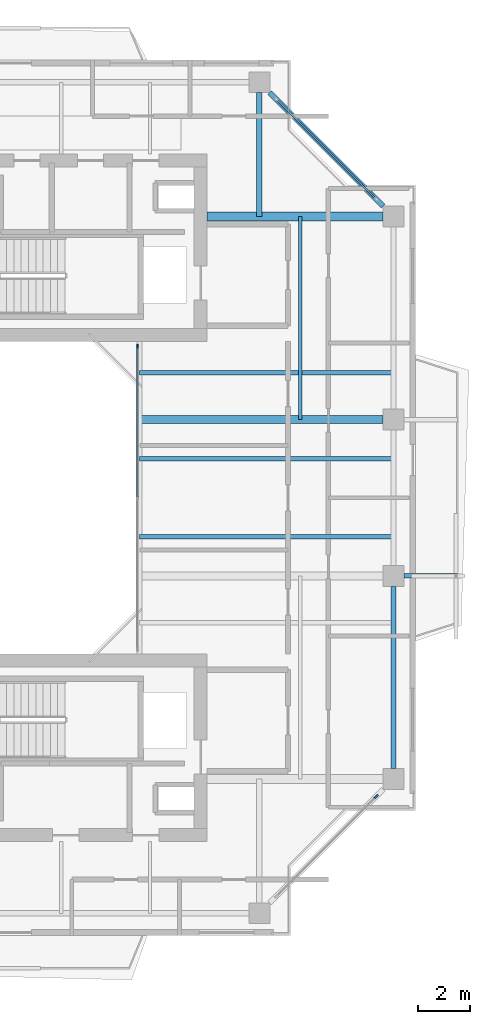
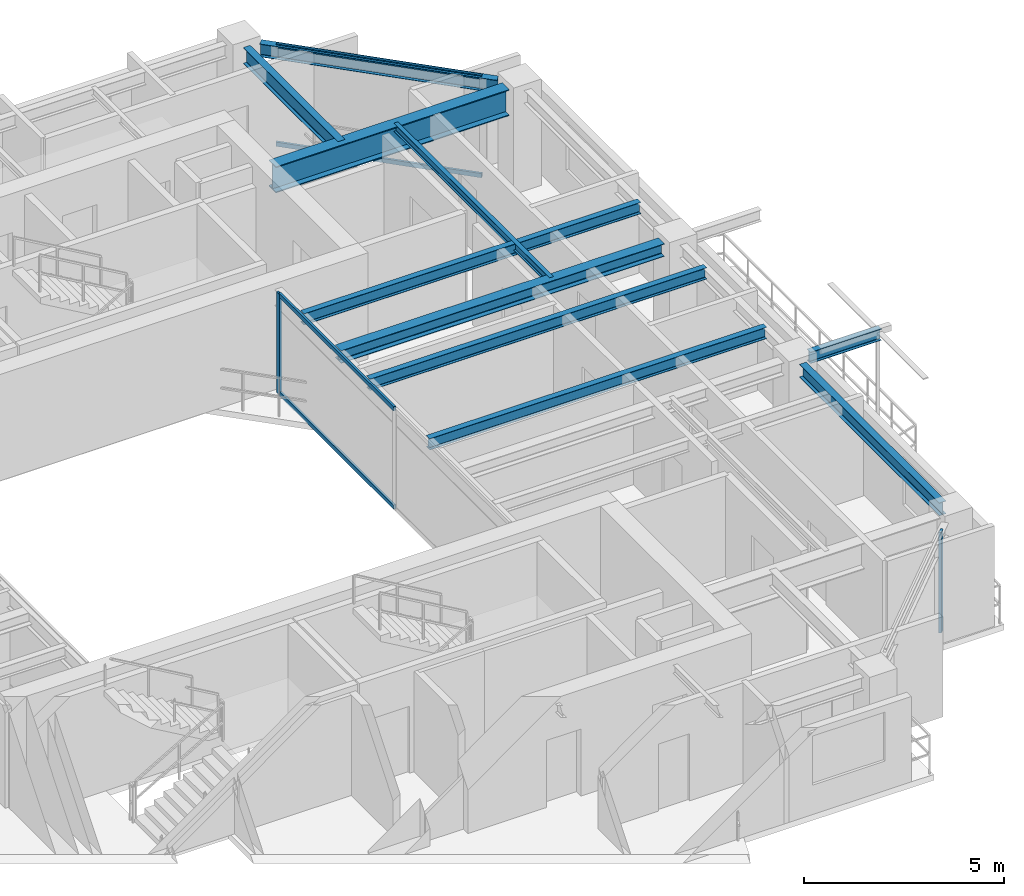
# One storey, part 6 of 16: 10 beams, 6 members, 3 elements without a shape of their own.
"""IFC4 building model written with IfcOpenShell, lengths in metres."""

from ifc_helpers import new_model, si_unit, direction, frame, origin, origin_2d, place, context, subcontext, project, spatial, rectangle, i_section, extrude, source, transform, mapped, material, layer, layer_set, material_profile, profile_set, type_object, element, aggregate, save


model = new_model("IFC4")

# Units and contexts
model_context = context("Model", 3, precision=1e-05, world=origin(), true_north=direction((0.0, 1.0)))
body_context = subcontext(model_context, "Body", "Model", "MODEL_VIEW")
ifc_project = project(units=[si_unit("LENGTHUNIT", "METRE"), si_unit("AREAUNIT", "SQUARE_METRE"), si_unit("VOLUMEUNIT", "CUBIC_METRE"), si_unit("PLANEANGLEUNIT", "RADIAN"), si_unit("MASSUNIT", "GRAM", prefix="KILO"), si_unit("THERMODYNAMICTEMPERATUREUNIT", "KELVIN"), si_unit("POWERUNIT", "WATT")], contexts=[model_context])

# Site, building, storey
site_placement = place(None, origin())
site = spatial("IfcSite", under=ifc_project, at=site_placement, CompositionType="ELEMENT")
building_placement = place(site_placement, origin())
building = spatial("IfcBuilding", under=site, at=building_placement, Name="Qiaomeng Ring Towers", CompositionType="ELEMENT")
storey_placement = place(building_placement, frame((0.0, 0.0, 216.5)))
storey = spatial("IfcBuildingStorey", under=building, at=storey_placement, Name="L63", CompositionType="ELEMENT", Elevation=216.5)

# Beams
ifc_material_1 = material(Name="Steel Q355B", Category="steel")
ifc_material_profile_1 = material_profile(ifc_material_1, i_section(OverallWidth=0.198974609375, OverallDepth=0.39599609375, WebThickness=0.007080078125, FlangeThickness=0.010986328125, FilletRadius=0.01611328125, at=origin_2d()), Name="HN 396x199x7x11")
ifc_profile_set_1 = profile_set([ifc_material_profile_1], Name="Steel Q355B")
beam_type_1 = type_object("IfcBeamType", Name="STR-BM-HN396", PredefinedType="SPANDREL", material=ifc_profile_set_1)
shared_shape_1 = source(origin(), body_context, "Body", "SweptSolid", [
    extrude(i_section(OverallWidth=0.198974609375, OverallDepth=0.39599609375, WebThickness=0.007080078125, FlangeThickness=0.010986328125, FilletRadius=0.01611328125, at=origin_2d()), origin(), (0.0, 0.0, 1.0), 6.154052734375),
])
beam_1_placement = place(storey_placement, frame((34.55078125, 34.19921875, 2.8720703125), z_axis=(-0.707106781187, 0.707106781187, 0.0), x_axis=(-0.707106781187, -0.707106781187, 0.0)))
element("IfcBeam", 1, at=beam_1_placement, inside=storey, type_object=beam_type_1, Name="L63 beam STR-SP-L63-T1-E4-N2", PredefinedType="SPANDREL", context=body_context, shape_type="MappedRepresentation", body=[
    mapped(shared_shape_1, transform((0.0, 0.0, 0.0), x_axis=(1.0, 0.0, 0.0), y_axis=(0.0, 1.0, 0.0), z_axis=(0.0, 0.0, 1.0), scale=1.0)),
])
shared_shape_2 = source(origin(), body_context, "Body", "SweptSolid", [
    extrude(i_section(OverallWidth=0.198974609375, OverallDepth=0.39599609375, WebThickness=0.007080078125, FlangeThickness=0.010986328125, FilletRadius=0.01611328125, at=origin_2d()), origin(), (0.0, 0.0, 1.0), 7.001953125),
])
beam_2_placement = place(storey_placement, frame((34.949951171875, 12.59912109375, 2.8720703125), z_axis=(0.0, 1.0, 0.0), x_axis=(-1.0, 0.0, 0.0)))
element("IfcBeam", 2, at=beam_2_placement, inside=storey, type_object=beam_type_1, Name="L63 beam STR-SP-L63-T1-E1-E2", PredefinedType="SPANDREL", context=body_context, shape_type="MappedRepresentation", body=[
    mapped(shared_shape_2, transform((0.0, 0.0, 0.0), x_axis=(1.0, 0.0, 0.0), y_axis=(0.0, 1.0, 0.0), z_axis=(0.0, 0.0, 1.0), scale=1.0)),
])
ifc_material_2 = material(Name="Steel Q390GJC", Category="steel")
ifc_material_profile_2 = material_profile(ifc_material_2, i_section(OverallWidth=0.35009765625, OverallDepth=0.800048828125, WebThickness=0.01611328125, FlangeThickness=0.028076171875, at=origin_2d()), Name="WH 800x350x16x28")
ifc_profile_set_2 = profile_set([ifc_material_profile_2], Name="Steel Q390GJC")
beam_type_2 = type_object("IfcBeamType", Name="STR-BM-WH800", PredefinedType="BEAM", material=ifc_profile_set_2)
shared_shape_3 = source(origin(), body_context, "Body", "SweptSolid", [
    extrude(i_section(OverallWidth=0.35009765625, OverallDepth=0.800048828125, WebThickness=0.01611328125, FlangeThickness=0.028076171875, at=origin_2d()), origin(), (0.0, 0.0, 1.0), 6.7509765625),
])
beam_3_placement = place(storey_placement, frame((27.800048828125, 33.800048828125, 2.669921875), z_axis=(1.0, 0.0, 0.0), x_axis=(0.0, 1.0, 0.0)))
element("IfcBeam", 3, at=beam_3_placement, inside=storey, type_object=beam_type_2, Name="L63 beam STR-BM-L63-T1-RAD-E4", PredefinedType="BEAM", context=body_context, shape_type="MappedRepresentation", body=[
    mapped(shared_shape_3, transform((0.0, 0.0, 0.0), x_axis=(1.0, 0.0, 0.0), y_axis=(0.0, 1.0, 0.0), z_axis=(0.0, 0.0, 1.0), scale=1.0)),
])
ifc_material_profile_3 = material_profile(ifc_material_1, i_section(OverallWidth=0.300048828125, OverallDepth=0.389892578125, WebThickness=0.010009765625, FlangeThickness=0.01611328125, FilletRadius=0.02197265625, at=origin_2d()), Name="HM 390x300x10x16")
ifc_profile_set_3 = profile_set([ifc_material_profile_3], Name="Steel Q355B")
beam_type_3 = type_object("IfcBeamType", Name="STR-BM-HM390", PredefinedType="BEAM", material=ifc_profile_set_3)
shared_shape_4 = source(origin(), body_context, "Body", "SweptSolid", [
    extrude(i_section(OverallWidth=0.300048828125, OverallDepth=0.389892578125, WebThickness=0.010009765625, FlangeThickness=0.01611328125, FilletRadius=0.02197265625, at=origin_2d()), origin(), (0.0, 0.0, 1.0), 9.35107421875),
])
beam_4_placement = place(storey_placement, frame((25.199951171875, 26.0, 2.875), z_axis=(1.0, 0.0, 0.0), x_axis=(0.0, 1.0, 0.0)))
element("IfcBeam", 4, at=beam_4_placement, inside=storey, type_object=beam_type_3, Name="L63 beam STR-BM-L63-T1-RAD-E3", PredefinedType="BEAM", context=body_context, shape_type="MappedRepresentation", body=[
    mapped(shared_shape_4, transform((0.0, 0.0, 0.0), x_axis=(1.0, 0.0, 0.0), y_axis=(0.0, 1.0, 0.0), z_axis=(0.0, 0.0, 1.0), scale=1.0)),
])
ifc_material_profile_4 = material_profile(ifc_material_1, i_section(OverallWidth=0.175048828125, OverallDepth=0.35009765625, WebThickness=0.007080078125, FlangeThickness=0.010986328125, FilletRadius=0.013916015625, at=origin_2d()), Name="HN 350x175x7x11")
ifc_profile_set_4 = profile_set([ifc_material_profile_4], Name="Steel Q355B")
beam_type_4 = type_object("IfcBeamType", Name="STR-BM-HN350", PredefinedType="JOIST", material=ifc_profile_set_4)
shared_shape_5 = source(origin(), body_context, "Body", "SweptSolid", [
    extrude(i_section(OverallWidth=0.175048828125, OverallDepth=0.35009765625, WebThickness=0.007080078125, FlangeThickness=0.010986328125, FilletRadius=0.013916015625, at=origin_2d()), origin(), (0.0, 0.0, 1.0), 2.05078125),
])
beam_5_placement = place(storey_placement, frame((35.34912109375, 20.0, 2.89501953125), z_axis=(1.0, 0.0, 0.0), x_axis=(0.0, 1.0, 0.0)))
element("IfcBeam", 5, at=beam_5_placement, inside=storey, type_object=beam_type_4, Name="L63 beam STR-BALBM-L63-E2", PredefinedType="JOIST", context=body_context, shape_type="MappedRepresentation", body=[
    mapped(shared_shape_5, transform((0.0, 0.0, 0.0), x_axis=(1.0, 0.0, 0.0), y_axis=(0.0, 1.0, 0.0), z_axis=(0.0, 0.0, 1.0), scale=1.0)),
])
shared_shape_6 = source(origin(), body_context, "Body", "SweptSolid", [
    extrude(i_section(OverallWidth=0.175048828125, OverallDepth=0.35009765625, WebThickness=0.007080078125, FlangeThickness=0.010986328125, FilletRadius=0.013916015625, at=origin_2d()), origin(), (0.0, 0.0, 1.0), 9.75),
])
for number, where, z_axis, x_axis, name in (
    (6, (25.199951171875, 21.5, 2.89501953125), (1.0, 0.0, 0.0), (0.0, 1.0, 0.0), "L63 beam STR-JST-L63-T1E-2"),
    (7, (25.199951171875, 24.5, 2.89501953125), (1.0, 0.0, 0.0), (0.0, 1.0, 0.0), "L63 beam STR-JST-L63-T1E-3"),
    (8, (25.199951171875, 27.800048828125, 2.89501953125), (1.0, 0.0, 0.0), (0.0, 1.0, 0.0), "L63 beam STR-JST-L63-T1E-4"),
):
    element("IfcBeam", number, at=place(storey_placement, frame(where, z_axis=z_axis, x_axis=x_axis)), inside=storey, type_object=beam_type_4, Name=name, PredefinedType="JOIST", context=body_context, shape_type="MappedRepresentation", body=[
        mapped(shared_shape_6, transform((0.0, 0.0, 0.0), x_axis=(1.0, 0.0, 0.0), y_axis=(0.0, 1.0, 0.0), z_axis=(0.0, 0.0, 1.0), scale=1.0)),
    ])
ifc_material_profile_5 = material_profile(ifc_material_1, i_section(OverallWidth=0.125, OverallDepth=0.25, WebThickness=0.006103515625, FlangeThickness=0.009033203125, FilletRadius=0.011962890625, at=origin_2d()), Name="HN 250x125x6x9")
ifc_profile_set_5 = profile_set([ifc_material_profile_5], Name="Steel Q355B")
beam_type_5 = type_object("IfcBeamType", Name="STR-BM-HN250", PredefinedType="JOIST", material=ifc_profile_set_5)
shared_shape_7 = source(origin(), body_context, "Body", "SweptSolid", [
    extrude(i_section(OverallWidth=0.125, OverallDepth=0.25, WebThickness=0.006103515625, FlangeThickness=0.009033203125, FilletRadius=0.011962890625, at=origin_2d()), origin(), (0.0, 0.0, 1.0), 7.800048828125),
])
beam_6_placement = place(storey_placement, frame((31.375, 26.0, 2.945068359375), z_axis=(0.0, 1.0, 0.0), x_axis=(-1.0, 0.0, 0.0)))
element("IfcBeam", 9, at=beam_6_placement, inside=storey, type_object=beam_type_5, Name="L63 beam STR-JST-L63-T1C-EN", PredefinedType="JOIST", context=body_context, shape_type="MappedRepresentation", body=[
    mapped(shared_shape_7, transform((0.0, 0.0, 0.0), x_axis=(1.0, 0.0, 0.0), y_axis=(0.0, 1.0, 0.0), z_axis=(0.0, 0.0, 1.0), scale=1.0)),
])
ifc_material_profile_6 = material_profile(ifc_material_1, i_section(OverallWidth=0.198974609375, OverallDepth=0.49609375, WebThickness=0.009033203125, FlangeThickness=0.013916015625, FilletRadius=0.01806640625, at=origin_2d()), Name="HN 496x199x9x14")
ifc_profile_set_6 = profile_set([ifc_material_profile_6], Name="Steel Q355B")
beam_type_6 = type_object("IfcBeamType", Name="STR-BM-HN496", PredefinedType="BEAM", material=ifc_profile_set_6)
shared_shape_8 = source(origin(), body_context, "Body", "SweptSolid", [
    extrude(i_section(OverallWidth=0.198974609375, OverallDepth=0.49609375, WebThickness=0.009033203125, FlangeThickness=0.013916015625, FilletRadius=0.01806640625, at=origin_2d()), origin(), (0.0, 0.0, 1.0), 4.7509765625),
])
beam_7_placement = place(storey_placement, frame((29.800048828125, 38.551025390625, 2.822021484375), z_axis=(0.0, -1.0, 0.0), x_axis=(1.0, 0.0, 0.0)))
element("IfcBeam", 10, at=beam_7_placement, inside=storey, type_object=beam_type_6, Name="L63 beam STR-BM-L63-T1-RAD-N2", PredefinedType="BEAM", context=body_context, shape_type="MappedRepresentation", body=[
    mapped(shared_shape_8, transform((0.0, 0.0, 0.0), x_axis=(1.0, 0.0, 0.0), y_axis=(0.0, 1.0, 0.0), z_axis=(0.0, 0.0, 1.0), scale=1.0)),
])

# Curtain wall, members
ifc_material_3 = material(Name="Fluorocarbon dark-grey aluminium", Category="aluminium")
ifc_layer_1 = layer(ifc_material_3, 0.139892578125, Name="Fluorocarbon dark-grey aluminium")
ifc_layer_set_1 = layer_set([ifc_layer_1], Name="Fluorocarbon dark-grey aluminium")
curtain_wall_type_1 = type_object("IfcCurtainWallType", Name="ARC-CW-4", PredefinedType="NOTDEFINED", material=ifc_layer_set_1)
curtain_wall_1_placement = place(storey_placement, origin())
curtain_wall_1 = element("IfcCurtainWall", 11, at=curtain_wall_1_placement, inside=storey, type_object=curtain_wall_type_1, Name="L63 Curtain Wall CW4", PredefinedType="NOTDEFINED")
ifc_material_profile_7 = material_profile(ifc_material_3, rectangle(XDim=0.06494140625, YDim=0.159912109375, at=origin_2d()), Name="ALU MULL 65x160")
ifc_profile_set_7 = profile_set([ifc_material_profile_7], Name="Fluorocarbon dark-grey aluminium")
member_type_1 = type_object("IfcMemberType", Name="ARC-CWM-140", PredefinedType="MULLION", material=ifc_profile_set_7)
shared_shape_9 = source(origin(), body_context, "Body", "SweptSolid", [
    extrude(rectangle(XDim=0.06494140625, YDim=0.159912109375, at=origin_2d()), origin(), (0.0, 0.0, 1.0), 3.070068359375),
])
member_1_placement = place(storey_placement, frame((25.1201171875, 28.8173828125, 0.0), z_axis=(0.0, 0.0, 1.0), x_axis=(-1.0, 0.0, 0.0)))
member_1 = element("IfcMember", 12, at=member_1_placement, type_object=member_type_1, Name="CW4 mullion 3", PredefinedType="MULLION", context=body_context, shape_type="MappedRepresentation", body=[
    mapped(shared_shape_9, transform((0.0, 0.0, 0.0), x_axis=(1.0, 0.0, 0.0), y_axis=(0.0, 1.0, 0.0), z_axis=(0.0, 0.0, 1.0), scale=1.0)),
])
ifc_material_profile_8 = material_profile(ifc_material_3, rectangle(XDim=0.06494140625, YDim=0.1298828125, at=origin_2d()), Name="ALU TRAN 65x130")
ifc_profile_set_8 = profile_set([ifc_material_profile_8], Name="Fluorocarbon dark-grey aluminium")
member_type_2 = type_object("IfcMemberType", Name="ARC-CWT-120", PredefinedType="USERDEFINED", material=ifc_profile_set_8)
shared_shape_10 = source(origin(), body_context, "Body", "SweptSolid", [
    extrude(rectangle(XDim=0.06494140625, YDim=0.1298828125, at=origin_2d()), origin(), (0.0, 0.0, 1.0), 5.75244140625),
])
member_2_placement = place(storey_placement, frame((25.1201171875, 23.032470703125, 0.032470703125), z_axis=(0.0, 1.0, 0.0), x_axis=(-1.0, 0.0, 0.0)))
member_2 = element("IfcMember", 13, at=member_2_placement, type_object=member_type_2, Name="CW4 transom 2.1", ObjectType="TRANSOM", PredefinedType="USERDEFINED", context=body_context, shape_type="MappedRepresentation", body=[
    mapped(shared_shape_10, transform((0.0, 0.0, 0.0), x_axis=(1.0, 0.0, 0.0), y_axis=(0.0, 1.0, 0.0), z_axis=(0.0, 0.0, 1.0), scale=1.0)),
])
member_3_placement = place(storey_placement, frame((25.1201171875, 23.032470703125, 3.03759765625), z_axis=(0.0, 1.0, 0.0), x_axis=(-1.0, 0.0, 0.0)))
member_3 = element("IfcMember", 14, at=member_3_placement, type_object=member_type_2, Name="CW4 transom 2.2", ObjectType="TRANSOM", PredefinedType="USERDEFINED", context=body_context, shape_type="MappedRepresentation", body=[
    mapped(shared_shape_10, transform((0.0, 0.0, 0.0), x_axis=(1.0, 0.0, 0.0), y_axis=(0.0, 1.0, 0.0), z_axis=(0.0, 0.0, 1.0), scale=1.0)),
])
aggregate(curtain_wall_1, [member_1, member_2, member_3])

# Curtain wall, member
ifc_layer_2 = layer(ifc_material_3, 0.14990234375, Name="Fluorocarbon dark-grey aluminium")
ifc_layer_set_2 = layer_set([ifc_layer_2], Name="Fluorocarbon dark-grey aluminium")
curtain_wall_type_2 = type_object("IfcCurtainWallType", Name="ARC-CW-3", PredefinedType="NOTDEFINED", material=ifc_layer_set_2)
curtain_wall_2_placement = place(storey_placement, origin())
curtain_wall_2 = element("IfcCurtainWall", 15, at=curtain_wall_2_placement, inside=storey, type_object=curtain_wall_type_2, Name="L63 Curtain Wall CW3", PredefinedType="NOTDEFINED")
ifc_material_profile_9 = material_profile(ifc_material_3, rectangle(XDim=0.070068359375, YDim=0.179931640625, at=origin_2d()), Name="ALU MULL 70x180")
ifc_profile_set_9 = profile_set([ifc_material_profile_9], Name="Fluorocarbon dark-grey aluminium")
member_type_3 = type_object("IfcMemberType", Name="ARC-CWM-160", PredefinedType="MULLION", material=ifc_profile_set_9)
shared_shape_11 = source(origin(), body_context, "Body", "SweptSolid", [
    extrude(rectangle(XDim=0.070068359375, YDim=0.179931640625, at=origin_2d()), origin(), (0.0, 0.0, 1.0), 3.070068359375),
])
member_4_placement = place(storey_placement, frame((34.28515625, 11.53515625, 0.0), z_axis=(0.0, 0.0, 1.0), x_axis=(-0.707106781187, 0.707106781187, 0.0)))
member_4 = element("IfcMember", 16, at=member_4_placement, type_object=member_type_3, Name="CW3 mullion 2", PredefinedType="MULLION", context=body_context, shape_type="MappedRepresentation", body=[
    mapped(shared_shape_11, transform((0.0, 0.0, 0.0), x_axis=(1.0, 0.0, 0.0), y_axis=(0.0, 1.0, 0.0), z_axis=(0.0, 0.0, 1.0), scale=1.0)),
])
aggregate(curtain_wall_2, [member_4])

# Curtain wall, members
curtain_wall_3_placement = place(storey_placement, origin())
curtain_wall_3 = element("IfcCurtainWall", 17, at=curtain_wall_3_placement, inside=storey, type_object=curtain_wall_type_2, Name="L63 Curtain Wall CW3", PredefinedType="NOTDEFINED")
shared_shape_12 = source(origin(), body_context, "Body", "SweptSolid", [
    extrude(rectangle(XDim=0.06494140625, YDim=0.1298828125, at=origin_2d()), origin(), (0.0, 0.0, 1.0), 5.3330078125),
])
member_5_placement = place(storey_placement, frame((34.260498046875, 34.489501953125, 0.032470703125), z_axis=(-0.707106781187, 0.707106781187, 0.0), x_axis=(-0.707106781187, -0.707106781187, 0.0)))
member_5 = element("IfcMember", 18, at=member_5_placement, type_object=member_type_2, Name="CW3 transom 1.1", ObjectType="TRANSOM", PredefinedType="USERDEFINED", context=body_context, shape_type="MappedRepresentation", body=[
    mapped(shared_shape_12, transform((0.0, 0.0, 0.0), x_axis=(1.0, 0.0, 0.0), y_axis=(0.0, 1.0, 0.0), z_axis=(0.0, 0.0, 1.0), scale=1.0)),
])
member_6_placement = place(storey_placement, frame((34.260498046875, 34.489501953125, 3.03759765625), z_axis=(-0.707106781187, 0.707106781187, 0.0), x_axis=(-0.707106781187, -0.707106781187, 0.0)))
member_6 = element("IfcMember", 19, at=member_6_placement, type_object=member_type_2, Name="CW3 transom 1.2", ObjectType="TRANSOM", PredefinedType="USERDEFINED", context=body_context, shape_type="MappedRepresentation", body=[
    mapped(shared_shape_12, transform((0.0, 0.0, 0.0), x_axis=(1.0, 0.0, 0.0), y_axis=(0.0, 1.0, 0.0), z_axis=(0.0, 0.0, 1.0), scale=1.0)),
])
aggregate(curtain_wall_3, [member_5, member_6])

save(model, "model.ifc")
